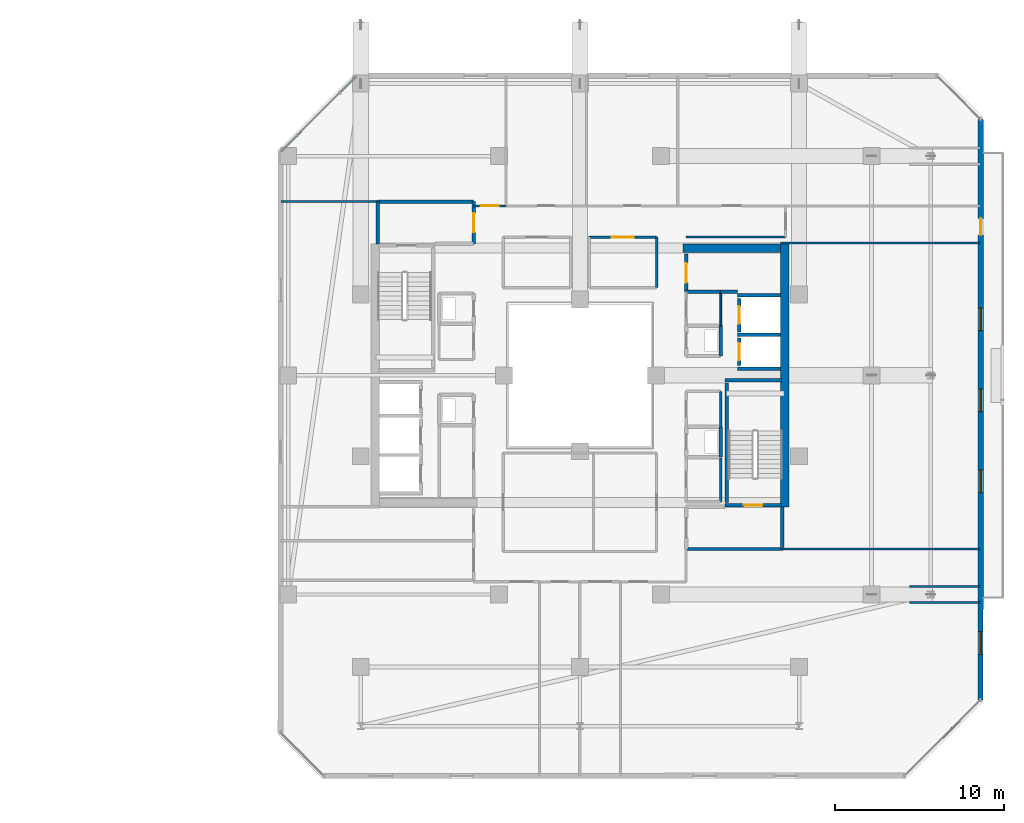
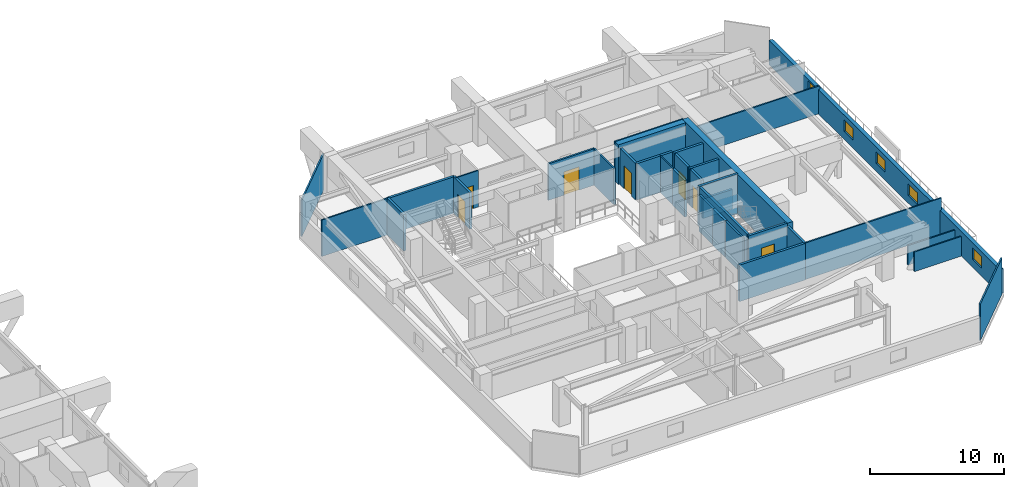
# One storey, part 26 of 34: 35 walls, 8 doors, 4 windows, 12 openings.
"""IFC4 building model written with IfcOpenShell, lengths in metres."""

from ifc_helpers import new_model, si_unit, direction, frame, frame_2d, origin, place, context, subcontext, project, spatial, rectangle, extrude, material, layer, layer_set, type_object, element, fill, save


model = new_model("IFC4")

# Units and contexts
model_context = context("Model", 3, precision=1e-05, world=origin(), true_north=direction((0.0, 1.0)))
body_context = subcontext(model_context, "Body", "Model", "MODEL_VIEW")
ifc_project = project(units=[si_unit("LENGTHUNIT", "METRE"), si_unit("AREAUNIT", "SQUARE_METRE"), si_unit("VOLUMEUNIT", "CUBIC_METRE"), si_unit("PLANEANGLEUNIT", "RADIAN"), si_unit("MASSUNIT", "GRAM", prefix="KILO")], contexts=[model_context])

# Site, building, storey
site_placement = place(None, origin())
site = spatial("IfcSite", under=ifc_project, at=site_placement, CompositionType="ELEMENT")
building_placement = place(site_placement, origin())
building = spatial("IfcBuilding", under=site, at=building_placement, Name="Thornwick Lancets Civic Towers", CompositionType="ELEMENT")
storey_placement = place(building_placement, frame((0.0, 0.0, 251.10009765625)))
storey = spatial("IfcBuildingStorey", under=building, at=storey_placement, Name="L67", CompositionType="ELEMENT", Elevation=251.10009765625)

# Wall, opening, door
ifc_material_1 = material(Name="Concrete blockwork C40/50", Category="masonry")
ifc_layer_1 = layer(ifc_material_1, 0.199951171875, Name="Concrete blockwork C40/50")
ifc_layer_set_1 = layer_set([ifc_layer_1], Name="Concrete blockwork C40/50")
wall_type_1 = type_object("IfcWallType", Name="WALL_COMP_200", PredefinedType="STANDARD", material=ifc_layer_set_1)
wall_1_placement = place(storey_placement, frame((97.949951171875, 29.219970703125, 0.0), z_axis=(0.0, 0.0, 1.0), x_axis=(0.0, -1.0, 0.0)))
wall_1 = element("IfcWall", 1, at=wall_1_placement, inside=storey, type_object=wall_type_1, Name="L67 Hoistway Front Wall FL-B1", PredefinedType="STANDARD", context=body_context, shape_type="SweptSolid", body=[
    extrude(rectangle(XDim=1.639892578125, YDim=0.199951171875, at=frame_2d((0.81982421875, 0.0))), origin(), (0.0, 0.0, 1.0), 3.31982421875),
])
opening_1_placement = place(wall_1_placement, frame((0.31005859375, 0.0, 0.0)))
opening_1 = element("IfcOpeningElement", 2, at=opening_1_placement, cuts=wall_1, Name="Opening LD-FL-B1", PredefinedType="OPENING", context=body_context, shape_type="SweptSolid", body=[
    extrude(rectangle(XDim=1.02001953125, YDim=2.06005859375, at=frame_2d((0.510009765625, 1.030029296875))), frame((0.0, 0.10986328125, 0.0), z_axis=(0.0, -1.0, 0.0), x_axis=(1.0, 0.0, 0.0)), (0.0, 0.0, 1.0), 0.219970703125),
])
ifc_material_2 = material(Name="Brushed bronze stainless steel", Category="steel")
door_type_1 = type_object("IfcDoorType", Name="DOOR_LIFT_SLIDE", OperationType="SLIDING_TO_LEFT", PredefinedType="DOOR", material=ifc_material_2)
door_1_placement = place(opening_1_placement, origin())
door_1 = element("IfcDoor", 3, at=door_1_placement, inside=storey, type_object=door_type_1, Name="L67 Sliding Lift Landing Door LD-FL-B1", OperationType="SLIDING_TO_LEFT", OverallHeight=2.06005859375, OverallWidth=1.02001953125, PredefinedType="DOOR", context=body_context, shape_type="SweptSolid", body=[
    extrude(rectangle(XDim=1.02001953125, YDim=2.06005859375, at=frame_2d((0.510009765625, 1.030029296875))), frame((0.0, 0.02490234375, 0.0), z_axis=(0.0, -1.0, 0.0), x_axis=(1.0, 0.0, 0.0)), (0.0, 0.0, 1.0), 0.050048828125),
])
fill(opening_1, door_1)

wall_2_placement = place(storey_placement, frame((97.949951171875, 31.570068359375, 0.0), z_axis=(0.0, 0.0, 1.0), x_axis=(0.0, -1.0, 0.0)))
wall_2 = element("IfcWall", 4, at=wall_2_placement, inside=storey, type_object=wall_type_1, Name="L67 Hoistway Front Wall PL-BH1", PredefinedType="STANDARD", context=body_context, shape_type="SweptSolid", body=[
    extrude(rectangle(XDim=1.989990234375, YDim=0.199951171875, at=frame_2d((0.9951171875, 0.0))), origin(), (0.0, 0.0, 1.0), 3.31982421875),
])
opening_2_placement = place(wall_2_placement, frame((0.485107421875, 0.0, 0.0)))
opening_2 = element("IfcOpeningElement", 5, at=opening_2_placement, cuts=wall_2, Name="Opening LD-PL-BH1", PredefinedType="OPENING", context=body_context, shape_type="SweptSolid", body=[
    extrude(rectangle(XDim=1.02001953125, YDim=2.06005859375, at=frame_2d((0.510009765625, 1.030029296875))), frame((0.0, 0.10986328125, 0.0), z_axis=(0.0, -1.0, 0.0), x_axis=(1.0, 0.0, 0.0)), (0.0, 0.0, 1.0), 0.219970703125),
])
door_2_placement = place(opening_2_placement, origin())
door_2 = element("IfcDoor", 6, at=door_2_placement, inside=storey, type_object=door_type_1, Name="L67 Sliding Lift Landing Door LD-PL-BH1", OperationType="SLIDING_TO_LEFT", OverallHeight=2.06005859375, OverallWidth=1.02001953125, PredefinedType="DOOR", context=body_context, shape_type="SweptSolid", body=[
    extrude(rectangle(XDim=1.02001953125, YDim=2.06005859375, at=frame_2d((0.510009765625, 1.030029296875))), frame((0.0, 0.02490234375, 0.0), z_axis=(0.0, -1.0, 0.0), x_axis=(1.0, 0.0, 0.0)), (0.0, 0.0, 1.0), 0.050048828125),
])
fill(opening_2, door_2)

# Walls
wall_3_placement = place(storey_placement, frame((97.85205078125, 29.39990234375, 0.0), z_axis=(0.0, 0.0, 1.0), x_axis=(1.0, 0.0, 0.0)))
element("IfcWall", 7, at=wall_3_placement, inside=storey, type_object=wall_type_1, Name="L67 Hoistway Shaft Wall FL-B1 N", PredefinedType="STANDARD", context=body_context, shape_type="SweptSolid", body=[
    extrude(rectangle(XDim=2.535888671875, YDim=0.199951171875, at=frame_2d((1.26806640625, 0.0))), origin(), (0.0, 0.0, 1.0), 3.31982421875),
])
wall_4_placement = place(storey_placement, frame((97.85205078125, 27.39990234375, 0.0), z_axis=(0.0, 0.0, 1.0), x_axis=(1.0, 0.0, 0.0)))
element("IfcWall", 8, at=wall_4_placement, inside=storey, type_object=wall_type_1, Name="L67 Hoistway Shaft Wall FL-B1 S", PredefinedType="STANDARD", context=body_context, shape_type="SweptSolid", body=[
    extrude(rectangle(XDim=2.535888671875, YDim=0.199951171875, at=frame_2d((1.26806640625, 0.0))), origin(), (0.0, 0.0, 1.0), 1.784912109375),
])
wall_5_placement = place(storey_placement, frame((97.85205078125, 31.75, 0.0), z_axis=(0.0, 0.0, 1.0), x_axis=(1.0, 0.0, 0.0)))
element("IfcWall", 9, at=wall_5_placement, inside=storey, type_object=wall_type_1, Name="L67 Hoistway Shaft Wall PL-BH1 N", PredefinedType="STANDARD", context=body_context, shape_type="SweptSolid", body=[
    extrude(rectangle(XDim=2.535888671875, YDim=0.199951171875, at=frame_2d((1.26806640625, 0.0))), origin(), (0.0, 0.0, 1.0), 3.31982421875),
])
wall_6_placement = place(storey_placement, frame((94.800048828125, 16.699951171875, 0.0), z_axis=(0.0, 0.0, 1.0), x_axis=(1.0, 0.0, 0.0)))
element("IfcWall", 10, at=wall_6_placement, inside=storey, type_object=wall_type_1, Name="L67 Partition L67-B-FFLOB1 E1", PredefinedType="STANDARD", context=body_context, shape_type="SweptSolid", body=[
    extrude(rectangle(XDim=5.699951171875, YDim=0.199951171875, at=frame_2d((2.85009765625, 0.0))), origin(), (0.0, 0.0, 1.0), 3.31982421875),
])
wall_7_placement = place(storey_placement, frame((100.5, 16.699951171875, 0.0), z_axis=(0.0, 0.0, 1.0), x_axis=(0.0, 1.0, 0.0)))
element("IfcWall", 11, at=wall_7_placement, inside=storey, type_object=wall_type_1, Name="L67 Partition L67-B-FFLOB1 E2", PredefinedType="STANDARD", context=body_context, shape_type="SweptSolid", body=[
    extrude(rectangle(XDim=2.5, YDim=0.199951171875, at=frame_2d((1.25, 0.0))), origin(), (0.0, 0.0, 1.0), 3.31982421875),
])

# Wall, opening, door
wall_8_placement = place(storey_placement, frame((82.199951171875, 34.800048828125, 0.0), z_axis=(0.0, 0.0, 1.0), x_axis=(0.0, 1.0, 0.0)))
wall_8 = element("IfcWall", 12, at=wall_8_placement, inside=storey, type_object=wall_type_1, Name="L67 Partition L67-B-FFLOB2 E2", PredefinedType="STANDARD", context=body_context, shape_type="SweptSolid", body=[
    extrude(rectangle(XDim=2.5, YDim=0.199951171875, at=frame_2d((1.25, 0.0))), origin(), (0.0, 0.0, 1.0), 3.31982421875),
])
opening_3_placement = place(wall_8_placement, frame((0.675048828125, 0.0, 0.0)))
opening_3 = element("IfcOpeningElement", 13, at=opening_3_placement, cuts=wall_8, Name="Opening D-L67-3046", PredefinedType="OPENING", context=body_context, shape_type="SweptSolid", body=[
    extrude(rectangle(XDim=1.14990234375, YDim=2.10009765625, at=frame_2d((0.574951171875, 1.050048828125))), frame((0.0, 0.10986328125, 0.0), z_axis=(0.0, -1.0, 0.0), x_axis=(1.0, 0.0, 0.0)), (0.0, 0.0, 1.0), 0.219970703125),
])
ifc_material_3 = material(Name="Glazed fire-resisting steel", Category="steel")
door_type_2 = type_object("IfcDoorType", Name="DOOR_LOBBY_FD60", OperationType="NOTDEFINED", PredefinedType="DOOR", material=ifc_material_3)
door_3_placement = place(opening_3_placement, origin())
door_3 = element("IfcDoor", 14, at=door_3_placement, inside=storey, type_object=door_type_2, Name="L67 West Firefighting Lobby 2 Door", OperationType="SINGLE_SWING_LEFT", OverallHeight=2.10009765625, OverallWidth=1.14990234375, PredefinedType="DOOR", context=body_context, shape_type="SweptSolid", body=[
    extrude(rectangle(XDim=1.14990234375, YDim=2.10009765625, at=frame_2d((0.574951171875, 1.050048828125))), frame((0.0, 0.02490234375, 0.0), z_axis=(0.0, -1.0, 0.0), x_axis=(1.0, 0.0, 0.0)), (0.0, 0.0, 1.0), 0.050048828125),
])
fill(opening_3, door_3)

# Walls
wall_9_placement = place(storey_placement, frame((82.199951171875, 37.300048828125, 0.0), z_axis=(0.0, 0.0, 1.0), x_axis=(-1.0, 0.0, 0.0)))
element("IfcWall", 15, at=wall_9_placement, inside=storey, type_object=wall_type_1, Name="L67 Partition L67-B-FFLOB2 E3", PredefinedType="STANDARD", context=body_context, shape_type="SweptSolid", body=[
    extrude(rectangle(XDim=5.699951171875, YDim=0.199951171875, at=frame_2d((2.85009765625, 0.0))), origin(), (0.0, 0.0, 1.0), 3.31982421875),
])
wall_10_placement = place(storey_placement, frame((76.5, 37.300048828125, 0.0), z_axis=(0.0, 0.0, 1.0), x_axis=(0.0, -1.0, 0.0)))
element("IfcWall", 16, at=wall_10_placement, inside=storey, type_object=wall_type_1, Name="L67 Partition L67-B-FFLOB2 E4", PredefinedType="STANDARD", context=body_context, shape_type="SweptSolid", body=[
    extrude(rectangle(XDim=2.5, YDim=0.199951171875, at=frame_2d((1.25, 0.0))), origin(), (0.0, 0.0, 1.0), 3.31982421875),
])
for number, where, z_axis, x_axis, name in (
    (17, (96.85009765625, 28.14990234375, 0.0), (0.0, 0.0, 1.0), (0.0, 1.0, 0.0), "L67 Partition L67-B-DUCT1 E2"),
    (18, (96.85009765625, 22.14990234375, 0.0), (0.0, 0.0, 1.0), (0.0, 1.0, 0.0), "L67 Partition L67-B-RISER1 E2"),
):
    element("IfcWall", number, at=place(storey_placement, frame(where, z_axis=z_axis, x_axis=x_axis)), inside=storey, type_object=wall_type_1, Name=name, PredefinedType="STANDARD", context=body_context, shape_type="SweptSolid", body=[
        extrude(rectangle(XDim=1.800048828125, YDim=0.199951171875, at=frame_2d((0.89990234375, 0.0))), origin(), (0.0, 0.0, 1.0), 3.31982421875),
    ])

# Wall, opening, door
wall_11_placement = place(storey_placement, frame((94.800048828125, 31.949951171875, 0.0), z_axis=(0.0, 0.0, 1.0), x_axis=(0.0, 1.0, 0.0)))
wall_11 = element("IfcWall", 19, at=wall_11_placement, inside=storey, type_object=wall_type_1, Name="L67 Partition L67-B-ITR2 E1", PredefinedType="STANDARD", context=body_context, shape_type="SweptSolid", body=[
    extrude(rectangle(XDim=2.25, YDim=0.199951171875, at=frame_2d((1.125, 0.0))), origin(), (0.0, 0.0, 1.0), 3.31982421875),
])
opening_4_placement = place(wall_11_placement, frame((0.550048828125, 0.0, 0.0)))
opening_4 = element("IfcOpeningElement", 20, at=opening_4_placement, cuts=wall_11, Name="Opening D-L67-3054", PredefinedType="OPENING", context=body_context, shape_type="SweptSolid", body=[
    extrude(rectangle(XDim=1.14990234375, YDim=2.10009765625, at=frame_2d((0.574951171875, 1.050048828125))), frame((0.0, 0.10986328125, 0.0), z_axis=(0.0, -1.0, 0.0), x_axis=(1.0, 0.0, 0.0)), (0.0, 0.0, 1.0), 0.219970703125),
])
door_4_placement = place(opening_4_placement, origin())
door_4 = element("IfcDoor", 21, at=door_4_placement, inside=storey, type_object=door_type_2, Name="L67 Tower B Statutory Core Archive Door", OperationType="SINGLE_SWING_LEFT", OverallHeight=2.10009765625, OverallWidth=1.14990234375, PredefinedType="DOOR", context=body_context, shape_type="SweptSolid", body=[
    extrude(rectangle(XDim=1.14990234375, YDim=2.10009765625, at=frame_2d((0.574951171875, 1.050048828125))), frame((0.0, 0.02490234375, 0.0), z_axis=(0.0, -1.0, 0.0), x_axis=(1.0, 0.0, 0.0)), (0.0, 0.0, 1.0), 0.050048828125),
])
fill(opening_4, door_4)

# Walls
wall_12_placement = place(storey_placement, frame((97.85205078125, 31.949951171875, 0.0), z_axis=(0.0, 0.0, 1.0), x_axis=(-1.0, 0.0, 0.0)))
element("IfcWall", 22, at=wall_12_placement, inside=storey, type_object=wall_type_1, Name="L67 Partition L67-B-ITR2 E4", PredefinedType="STANDARD", context=body_context, shape_type="SweptSolid", body=[
    extrude(rectangle(XDim=1.001953125, YDim=0.199951171875, at=frame_2d((0.5009765625, 0.0))), origin(), (0.0, 0.0, 1.0), 3.31982421875),
])
wall_13_placement = place(storey_placement, frame((96.85009765625, 31.949951171875, 0.0), z_axis=(0.0, 0.0, 1.0), x_axis=(-1.0, 0.0, 0.0)))
element("IfcWall", 23, at=wall_13_placement, inside=storey, type_object=wall_type_1, Name="L67 Partition L67-B-ITR2 E5", PredefinedType="STANDARD", context=body_context, shape_type="SweptSolid", body=[
    extrude(rectangle(XDim=2.050048828125, YDim=0.199951171875, at=frame_2d((1.02490234375, 0.0))), origin(), (0.0, 0.0, 1.0), 3.31982421875),
])
ifc_material_4 = material(Name="Concrete C50/60", Category="concrete")
ifc_layer_2 = layer(ifc_material_4, 0.5, Name="Concrete C50/60")
ifc_layer_set_2 = layer_set([ifc_layer_2], Name="Concrete C50/60")
wall_type_2 = type_object("IfcWallType", Name="WALL_CORE_500", PredefinedType="SHEAR", material=ifc_layer_set_2)
wall_14_placement = place(storey_placement, frame((100.64990234375, 19.199951171875, 0.0), z_axis=(0.0, 0.0, 1.0), x_axis=(0.0, 1.0, 0.0)))
element("IfcWall", 24, at=wall_14_placement, inside=storey, type_object=wall_type_2, Name="L67 Split Core B1 Shear Wall E", PredefinedType="SHEAR", context=body_context, shape_type="SweptSolid", body=[
    extrude(rectangle(XDim=15.60009765625, YDim=0.5, at=frame_2d((7.800048828125, 0.0))), origin(), (0.0, 0.0, 1.0), 3.599853515625),
])
wall_15_placement = place(storey_placement, frame((94.60009765625, 34.550048828125, 0.0), z_axis=(0.0, 0.0, 1.0), x_axis=(1.0, 0.0, 0.0)))
element("IfcWall", 25, at=wall_15_placement, inside=storey, type_object=wall_type_2, Name="L67 Split Core B1 Shear Wall N", PredefinedType="SHEAR", context=body_context, shape_type="SweptSolid", body=[
    extrude(rectangle(XDim=5.7998046875, YDim=0.5, at=frame_2d((2.89990234375, 0.0))), origin(), (0.0, 0.0, 1.0), 3.599853515625),
])

# Wall, openings, door, windows
ifc_material_5 = material(Name="Insulated buff terracotta rainscreen on concrete C40/50", Category="masonry")
ifc_layer_3 = layer(ifc_material_5, 0.320068359375, Name="Insulated buff terracotta rainscreen on concrete C40/50")
ifc_layer_set_3 = layer_set([ifc_layer_3], Name="Insulated buff terracotta rainscreen on concrete C40/50")
wall_type_3 = type_object("IfcWallType", Name="WALL_EXT_TERRA_320", PredefinedType="STANDARD", material=ifc_layer_set_3)
wall_16_placement = place(storey_placement, frame((112.25830078125, 7.7490234375, 0.0), z_axis=(0.0, 0.0, 1.0), x_axis=(0.000184351399, 0.999999983007, 0.0)))
wall_16 = element("IfcWall", 26, at=wall_16_placement, inside=storey, type_object=wall_type_3, Name="L67 Tower B Terracotta Facade Wall E2", PredefinedType="STANDARD", context=body_context, shape_type="SweptSolid", body=[
    extrude(rectangle(XDim=34.432373046875, YDim=0.320068359375, at=frame_2d((17.21630859375, 0.0))), origin(), (0.0, 0.0, 1.0), 2.219970703125),
])
opening_5_placement = place(wall_16_placement, frame((27.566162109375, 0.0, 0.0)))
opening_5 = element("IfcOpeningElement", 27, at=opening_5_placement, cuts=wall_16, Name="Opening D-BL-L67-BE", PredefinedType="OPENING", context=body_context, shape_type="SweptSolid", body=[
    extrude(rectangle(XDim=1.0, YDim=2.080078125, at=frame_2d((0.5, 1.0400390625))), frame((0.0, 0.169921875, 0.0), z_axis=(0.0, -1.0, 0.0), x_axis=(1.0, 0.0, 0.0)), (0.0, 0.0, 1.0), 0.340087890625),
])
opening_6_placement = place(wall_16_placement, frame((2.699951171875, 0.0, 0.719970703125)))
opening_6 = element("IfcOpeningElement", 28, at=opening_6_placement, cuts=wall_16, Name="Opening WL-03", PredefinedType="OPENING", context=body_context, shape_type="SweptSolid", body=[
    extrude(rectangle(XDim=1.35009765625, YDim=1.050048828125, at=frame_2d((0.675048828125, 0.52490234375))), frame((0.0, 0.169921875, 0.0), z_axis=(0.0, -1.0, 0.0), x_axis=(1.0, 0.0, 0.0)), (0.0, 0.0, 1.0), 0.340087890625),
])
opening_7_placement = place(wall_16_placement, frame((12.300048828125, 0.0, 0.719970703125)))
opening_7 = element("IfcOpeningElement", 29, at=opening_7_placement, cuts=wall_16, Name="Opening WL-03", PredefinedType="OPENING", context=body_context, shape_type="SweptSolid", body=[
    extrude(rectangle(XDim=1.35009765625, YDim=1.050048828125, at=frame_2d((0.675048828125, 0.52490234375))), frame((0.0, 0.169921875, 0.0), z_axis=(0.0, -1.0, 0.0), x_axis=(1.0, 0.0, 0.0)), (0.0, 0.0, 1.0), 0.340087890625),
])
opening_8_placement = place(wall_16_placement, frame((17.10009765625, 0.0, 0.719970703125)))
opening_8 = element("IfcOpeningElement", 30, at=opening_8_placement, cuts=wall_16, Name="Opening WL-03", PredefinedType="OPENING", context=body_context, shape_type="SweptSolid", body=[
    extrude(rectangle(XDim=1.35009765625, YDim=1.050048828125, at=frame_2d((0.675048828125, 0.52490234375))), frame((0.0, 0.169921875, 0.0), z_axis=(0.0, -1.0, 0.0), x_axis=(1.0, 0.0, 0.0)), (0.0, 0.0, 1.0), 0.340087890625),
])
opening_9_placement = place(wall_16_placement, frame((21.89990234375, 0.0, 0.719970703125)))
opening_9 = element("IfcOpeningElement", 31, at=opening_9_placement, cuts=wall_16, Name="Opening WL-03", PredefinedType="OPENING", context=body_context, shape_type="SweptSolid", body=[
    extrude(rectangle(XDim=1.35009765625, YDim=1.050048828125, at=frame_2d((0.675048828125, 0.52490234375))), frame((0.0, 0.169921875, 0.0), z_axis=(0.0, -1.0, 0.0), x_axis=(1.0, 0.0, 0.0)), (0.0, 0.0, 1.0), 0.340087890625),
])
ifc_material_6 = material(Name="Thermally broken glazed loggia doorset")
door_type_3 = type_object("IfcDoorType", Name="DOOR_BALC_1000", OperationType="NOTDEFINED", PredefinedType="DOOR", material=ifc_material_6)
door_5_placement = place(opening_5_placement, origin())
door_5 = element("IfcDoor", 32, at=door_5_placement, inside=storey, type_object=door_type_3, Name="L67 Tower B Loggia Balcony Door E", OperationType="SINGLE_SWING_RIGHT", OverallHeight=2.080078125, OverallWidth=1.0, PredefinedType="DOOR", context=body_context, shape_type="SweptSolid", body=[
    extrude(rectangle(XDim=1.0, YDim=2.080078125, at=frame_2d((0.5, 1.0400390625))), frame((0.0, 0.02490234375, 0.0), z_axis=(0.0, -1.0, 0.0), x_axis=(1.0, 0.0, 0.0)), (0.0, 0.0, 1.0), 0.050048828125),
])
fill(opening_5, door_5)
ifc_material_7 = material(Name="Clear low-e double glazing clerestory lancet", Category="glass")
window_type = type_object("IfcWindowType", Name="WIN_LANCET_1350", PartitioningType="SINGLE_PANEL", PredefinedType="WINDOW", material=ifc_material_7)
window_1_placement = place(opening_6_placement, origin())
window_1 = element("IfcWindow", 33, at=window_1_placement, inside=storey, type_object=window_type, Name="L67 Tower B Staggered Lancet Window E2-1", OverallHeight=1.050048828125, OverallWidth=1.35009765625, PartitioningType="SINGLE_PANEL", PredefinedType="WINDOW", context=body_context, shape_type="SweptSolid", body=[
    extrude(rectangle(XDim=1.35009765625, YDim=1.050048828125, at=frame_2d((0.675048828125, 0.52490234375))), frame((0.0, 0.030029296875, 0.0), z_axis=(0.0, -1.0, 0.0), x_axis=(1.0, 0.0, 0.0)), (0.0, 0.0, 1.0), 0.06005859375),
])
fill(opening_6, window_1)
window_2_placement = place(opening_7_placement, origin())
window_2 = element("IfcWindow", 34, at=window_2_placement, inside=storey, type_object=window_type, Name="L67 Tower B Staggered Lancet Window E2-2", OverallHeight=1.050048828125, OverallWidth=1.35009765625, PartitioningType="SINGLE_PANEL", PredefinedType="WINDOW", context=body_context, shape_type="SweptSolid", body=[
    extrude(rectangle(XDim=1.35009765625, YDim=1.050048828125, at=frame_2d((0.675048828125, 0.52490234375))), frame((0.0, 0.030029296875, 0.0), z_axis=(0.0, -1.0, 0.0), x_axis=(1.0, 0.0, 0.0)), (0.0, 0.0, 1.0), 0.06005859375),
])
fill(opening_7, window_2)
window_3_placement = place(opening_8_placement, origin())
window_3 = element("IfcWindow", 35, at=window_3_placement, inside=storey, type_object=window_type, Name="L67 Tower B Staggered Lancet Window E2-3", OverallHeight=1.050048828125, OverallWidth=1.35009765625, PartitioningType="SINGLE_PANEL", PredefinedType="WINDOW", context=body_context, shape_type="SweptSolid", body=[
    extrude(rectangle(XDim=1.35009765625, YDim=1.050048828125, at=frame_2d((0.675048828125, 0.52490234375))), frame((0.0, 0.030029296875, 0.0), z_axis=(0.0, -1.0, 0.0), x_axis=(1.0, 0.0, 0.0)), (0.0, 0.0, 1.0), 0.06005859375),
])
fill(opening_8, window_3)
window_4_placement = place(opening_9_placement, origin())
window_4 = element("IfcWindow", 36, at=window_4_placement, inside=storey, type_object=window_type, Name="L67 Tower B Staggered Lancet Window E2-4", OverallHeight=1.050048828125, OverallWidth=1.35009765625, PartitioningType="SINGLE_PANEL", PredefinedType="WINDOW", context=body_context, shape_type="SweptSolid", body=[
    extrude(rectangle(XDim=1.35009765625, YDim=1.050048828125, at=frame_2d((0.675048828125, 0.52490234375))), frame((0.0, 0.030029296875, 0.0), z_axis=(0.0, -1.0, 0.0), x_axis=(1.0, 0.0, 0.0)), (0.0, 0.0, 1.0), 0.06005859375),
])
fill(opening_9, window_4)

# Walls
ifc_material_8 = material(Name="Lightweight cellular office partition")
ifc_layer_4 = layer(ifc_material_8, 0.10009765625, Name="Lightweight cellular office partition")
ifc_layer_set_4 = layer_set([ifc_layer_4], Name="Lightweight cellular office partition")
wall_type_4 = type_object("IfcWallType", Name="WALL_PART_100", PredefinedType="PARTITIONING", material=ifc_layer_set_4)
wall_17_placement = place(storey_placement, frame((96.85009765625, 31.949951171875, 0.0), z_axis=(0.0, 0.0, 1.0), x_axis=(0.0, -1.0, 0.0)))
element("IfcWall", 37, at=wall_17_placement, inside=storey, type_object=wall_type_4, Name="L67 Partition L67-B-CLN E3", PredefinedType="PARTITIONING", context=body_context, shape_type="SweptSolid", body=[
    extrude(rectangle(XDim=2.0, YDim=0.10009765625, at=frame_2d((1.0, 0.0))), origin(), (0.0, 0.0, 1.0), 3.31982421875),
])
ifc_material_9 = material(Name="Acoustic gypsum board partition")
ifc_layer_5 = layer(ifc_material_9, 0.1201171875, Name="Acoustic gypsum board partition")
ifc_layer_set_5 = layer_set([ifc_layer_5], Name="Acoustic gypsum board partition")
wall_type_5 = type_object("IfcWallType", Name="WALL_PART_120", PredefinedType="PARTITIONING", material=ifc_layer_set_5)
wall_18_placement = place(storey_placement, frame((94.800048828125, 35.199951171875, 0.0), z_axis=(0.0, 0.0, 1.0), x_axis=(1.0, 0.0, 0.0)))
element("IfcWall", 38, at=wall_18_placement, inside=storey, type_object=wall_type_5, Name="L67 Partition L67-B-RECLAIM-L E2", PredefinedType="PARTITIONING", context=body_context, shape_type="SweptSolid", body=[
    extrude(rectangle(XDim=5.89990234375, YDim=0.1201171875, at=frame_2d((2.949951171875, 0.0))), origin(), (0.0, 0.0, 1.0), 3.31982421875),
])
wall_19_placement = place(storey_placement, frame((112.219970703125, 34.85009765625, 0.0), z_axis=(0.0, 0.0, 1.0), x_axis=(-1.0, 0.0, 0.0)))
element("IfcWall", 39, at=wall_19_placement, inside=storey, type_object=wall_type_5, Name="L67 Partition L67-B-RECLAIM-L E6", PredefinedType="PARTITIONING", context=body_context, shape_type="SweptSolid", body=[
    extrude(rectangle(XDim=11.820068359375, YDim=0.1201171875, at=frame_2d((5.91015625, 0.0))), origin(), (0.0, 0.0, 1.0), 2.52490234375),
])
wall_20_placement = place(storey_placement, frame((100.5, 16.699951171875, 0.0), z_axis=(0.0, 0.0, 1.0), x_axis=(1.0, 0.0, 0.0)))
element("IfcWall", 40, at=wall_20_placement, inside=storey, type_object=wall_type_5, Name="L67 Partition L67-B-W1 E7", PredefinedType="PARTITIONING", context=body_context, shape_type="SweptSolid", body=[
    extrude(rectangle(XDim=11.719970703125, YDim=0.1201171875, at=frame_2d((5.85986328125, 0.0))), origin(), (0.0, 0.0, 1.0), 3.31982421875),
])
for number, where, z_axis, x_axis, name in (
    (41, (112.219970703125, 14.47998046875, 0.0), (0.0, 0.0, 1.0), (-1.0, 0.0, 0.0), "L67 Partition L67-B-W1 E9"),
    (42, (108.0419921875, 13.52001953125, 0.0), (0.0, 0.0, 1.0), (1.0, 0.0, 0.0), "L67 Partition L67-B-W1 E11"),
):
    element("IfcWall", number, at=place(storey_placement, frame(where, z_axis=z_axis, x_axis=x_axis)), inside=storey, type_object=wall_type_5, Name=name, PredefinedType="PARTITIONING", context=body_context, shape_type="SweptSolid", body=[
        extrude(rectangle(XDim=4.177978515625, YDim=0.1201171875, at=frame_2d((2.0888671875, 0.0))), origin(), (0.0, 0.0, 1.0), 1.784912109375),
    ])
wall_21_placement = place(storey_placement, frame((112.219970703125, 7.712646484375, 0.0), z_axis=(0.0, 0.0, 1.0), x_axis=(-0.707106781187, -0.707106781187, 0.0)))
element("IfcWall", 43, at=wall_21_placement, inside=storey, type_object=wall_type_5, Name="L67 Partition L67-B-W1 E13", PredefinedType="PARTITIONING", context=body_context, shape_type="SweptSolid", body=[
    extrude(rectangle(XDim=6.2685546875, YDim=0.1201171875, at=frame_2d((3.13427734375, 0.0))), origin(), (0.0, 0.0, 1.0), 3.31982421875),
])
wall_22_placement = place(storey_placement, frame((76.5, 37.300048828125, 0.0), z_axis=(0.0, 0.0, 1.0), x_axis=(-1.0, 0.0, 0.0)))
element("IfcWall", 44, at=wall_22_placement, inside=storey, type_object=wall_type_5, Name="L67 Partition L67-B-E4 E3", PredefinedType="PARTITIONING", context=body_context, shape_type="SweptSolid", body=[
    extrude(rectangle(XDim=5.719970703125, YDim=0.1201171875, at=frame_2d((2.85986328125, 0.0))), origin(), (0.0, 0.0, 1.0), 3.31982421875),
])
wall_23_placement = place(storey_placement, frame((70.780029296875, 40.287353515625, 0.0), z_axis=(0.0, 0.0, 1.0), x_axis=(0.707106781187, 0.707106781187, 0.0)))
element("IfcWall", 45, at=wall_23_placement, inside=storey, type_object=wall_type_5, Name="L67 Partition L67-B-E4 E5", PredefinedType="PARTITIONING", context=body_context, shape_type="SweptSolid", body=[
    extrude(rectangle(XDim=6.2685546875, YDim=0.1201171875, at=frame_2d((3.13427734375, 0.0))), origin(), (0.0, 0.0, 1.0), 3.31982421875),
])

# Wall, opening, door
wall_24_placement = place(storey_placement, frame((84.10009765625, 37.050048828125, 0.0), z_axis=(0.0, 0.0, 1.0), x_axis=(-1.0, 0.0, 0.0)))
wall_24 = element("IfcWall", 46, at=wall_24_placement, inside=storey, type_object=wall_type_5, Name="L67 Partition L67-B-E4 E8", PredefinedType="PARTITIONING", context=body_context, shape_type="SweptSolid", body=[
    extrude(rectangle(XDim=1.900146484375, YDim=0.1201171875, at=frame_2d((0.9501953125, 0.0))), origin(), (0.0, 0.0, 1.0), 3.31982421875),
])
opening_10_placement = place(wall_24_placement, frame((0.425048828125, 0.0, 0.0)))
opening_10 = element("IfcOpeningElement", 47, at=opening_10_placement, cuts=wall_24, Name="Opening D-L67-3084", PredefinedType="OPENING", context=body_context, shape_type="SweptSolid", body=[
    extrude(rectangle(XDim=1.050048828125, YDim=2.10009765625, at=frame_2d((0.52490234375, 1.050048828125))), frame((0.0, 0.070068359375, 0.0), z_axis=(0.0, -1.0, 0.0), x_axis=(1.0, 0.0, 0.0)), (0.0, 0.0, 1.0), 0.14013671875),
])
ifc_material_10 = material(Name="Glazed European oak executive doorset")
door_type_4 = type_object("IfcDoorType", Name="DOOR_OFFICE_1050", OperationType="NOTDEFINED", PredefinedType="DOOR", material=ifc_material_10)
door_6_placement = place(opening_10_placement, origin())
door_6 = element("IfcDoor", 48, at=door_6_placement, inside=storey, type_object=door_type_4, Name="L67 Tower B Legislative Drafting Suite E4 Door", OperationType="SINGLE_SWING_LEFT", OverallHeight=2.10009765625, OverallWidth=1.050048828125, PredefinedType="DOOR", context=body_context, shape_type="SweptSolid", body=[
    extrude(rectangle(XDim=1.050048828125, YDim=2.10009765625, at=frame_2d((0.52490234375, 1.050048828125))), frame((0.0, 0.02490234375, 0.0), z_axis=(0.0, -1.0, 0.0), x_axis=(1.0, 0.0, 0.0)), (0.0, 0.0, 1.0), 0.050048828125),
])
fill(opening_10, door_6)

# Walls
ifc_material_11 = material(Name="Twin-stud acoustic gypsum board")
ifc_layer_6 = layer(ifc_material_11, 0.14990234375, Name="Twin-stud acoustic gypsum board")
ifc_layer_set_6 = layer_set([ifc_layer_6], Name="Twin-stud acoustic gypsum board")
wall_type_6 = type_object("IfcWallType", Name="WALL_PART_150", PredefinedType="PARTITIONING", material=ifc_layer_set_6)
wall_25_placement = place(storey_placement, frame((96.85009765625, 19.5, 0.0), z_axis=(0.0, 0.0, 1.0), x_axis=(0.0, 1.0, 0.0)))
element("IfcWall", 49, at=wall_25_placement, inside=storey, type_object=wall_type_6, Name="L67 Partition L67-B-MWC E2", PredefinedType="PARTITIONING", context=body_context, shape_type="SweptSolid", body=[
    extrude(rectangle(XDim=2.60009765625, YDim=0.14990234375, at=frame_2d((1.300048828125, 0.0))), origin(), (0.0, 0.0, 1.0), 3.31982421875),
])
wall_26_placement = place(storey_placement, frame((96.85009765625, 26.050048828125, 0.0), z_axis=(0.0, 0.0, 1.0), x_axis=(0.0, -1.0, 0.0)))
element("IfcWall", 50, at=wall_26_placement, inside=storey, type_object=wall_type_6, Name="L67 Partition L67-B-AWC E3", PredefinedType="PARTITIONING", context=body_context, shape_type="SweptSolid", body=[
    extrude(rectangle(XDim=2.10009765625, YDim=0.14990234375, at=frame_2d((1.050048828125, 0.0))), origin(), (0.0, 0.0, 1.0), 3.31982421875),
])

# Wall, opening, door
wall_27_placement = place(storey_placement, frame((89.050048828125, 35.199951171875, 0.0), z_axis=(0.0, 0.0, 1.0), x_axis=(1.0, 0.0, 0.0)))
wall_27 = element("IfcWall", 51, at=wall_27_placement, inside=storey, type_object=wall_type_6, Name="L67 Partition L67-B-E-ATR-1 E2", PredefinedType="PARTITIONING", context=body_context, shape_type="SweptSolid", body=[
    extrude(rectangle(XDim=4.0, YDim=0.14990234375, at=frame_2d((2.0, 0.0))), origin(), (0.0, 0.0, 1.0), 3.31982421875),
])
opening_11_placement = place(wall_27_placement, frame((1.35009765625, 0.0, 0.0)))
opening_11 = element("IfcOpeningElement", 52, at=opening_11_placement, cuts=wall_27, Name="Opening D-L67-3085", PredefinedType="OPENING", context=body_context, shape_type="SweptSolid", body=[
    extrude(rectangle(XDim=1.300048828125, YDim=2.1201171875, at=frame_2d((0.64990234375, 1.06005859375))), frame((0.0, 0.0849609375, 0.0), z_axis=(0.0, -1.0, 0.0), x_axis=(1.0, 0.0, 0.0)), (0.0, 0.0, 1.0), 0.169921875),
])
ifc_material_12 = material(Name="Acoustic oak leaf-and-a-half doorset")
door_type_5 = type_object("IfcDoorType", Name="DOOR_MEET_1300", OperationType="DOUBLE_DOOR_SINGLE_SWING", PredefinedType="DOOR", material=ifc_material_12)
door_7_placement = place(opening_11_placement, origin())
door_7 = element("IfcDoor", 53, at=door_7_placement, inside=storey, type_object=door_type_5, Name="L67 Tower B Atrium Briefing Room Door", OperationType="DOUBLE_DOOR_SINGLE_SWING", OverallHeight=2.1201171875, OverallWidth=1.300048828125, PredefinedType="DOOR", context=body_context, shape_type="SweptSolid", body=[
    extrude(rectangle(XDim=1.300048828125, YDim=2.1201171875, at=frame_2d((0.64990234375, 1.06005859375))), frame((0.0, 0.02490234375, 0.0), z_axis=(0.0, -1.0, 0.0), x_axis=(1.0, 0.0, 0.0)), (0.0, 0.0, 1.0), 0.050048828125),
])
fill(opening_11, door_7)

# Wall
wall_28_placement = place(storey_placement, frame((93.050048828125, 35.199951171875, 0.0), z_axis=(0.0, 0.0, 1.0), x_axis=(0.0, -1.0, 0.0)))
element("IfcWall", 54, at=wall_28_placement, inside=storey, type_object=wall_type_6, Name="L67 Partition L67-B-E-ATR-1 E3", PredefinedType="PARTITIONING", context=body_context, shape_type="SweptSolid", body=[
    extrude(rectangle(XDim=3.0, YDim=0.14990234375, at=frame_2d((1.5, 0.0))), origin(), (0.0, 0.0, 1.0), 3.31982421875),
])

# Wall, opening, door
ifc_material_13 = material(Name="Concrete C40/50", Category="concrete")
ifc_layer_7 = layer(ifc_material_13, 0.199951171875, Name="Concrete C40/50")
ifc_layer_set_7 = layer_set([ifc_layer_7], Name="Concrete C40/50")
wall_type_7 = type_object("IfcWallType", Name="WALL_SHAFT_200", PredefinedType="SHEAR", material=ifc_layer_set_7)
wall_29_placement = place(storey_placement, frame((100.449951171875, 19.300048828125, 0.0), z_axis=(0.0, 0.0, 1.0), x_axis=(-1.0, 0.0, 0.0)))
wall_29 = element("IfcWall", 55, at=wall_29_placement, inside=storey, type_object=wall_type_7, Name="L67 ST-B1 Fire Stair Core Wall NEAR", PredefinedType="SHEAR", context=body_context, shape_type="SweptSolid", body=[
    extrude(rectangle(XDim=3.349853515625, YDim=0.199951171875, at=frame_2d((1.6748046875, 0.0))), origin(), (0.0, 0.0, 1.0), 3.599853515625),
])
opening_12_placement = place(wall_29_placement, frame((1.125, 0.0, 0.0)))
opening_12 = element("IfcOpeningElement", 56, at=opening_12_placement, cuts=wall_29, Name="Opening D-ST-B1-L67", PredefinedType="OPENING", context=body_context, shape_type="SweptSolid", body=[
    extrude(rectangle(XDim=1.10009765625, YDim=2.10009765625, at=frame_2d((0.550048828125, 1.050048828125))), frame((0.0, 0.10986328125, 0.0), z_axis=(0.0, -1.0, 0.0), x_axis=(1.0, 0.0, 0.0)), (0.0, 0.0, 1.0), 0.219970703125),
])
ifc_material_14 = material(Name="Fire-resisting steel and hardwood", Category="steel")
door_type_6 = type_object("IfcDoorType", Name="DOOR_STAIR_FD60", OperationType="NOTDEFINED", PredefinedType="DOOR", material=ifc_material_14)
door_8_placement = place(opening_12_placement, origin())
door_8 = element("IfcDoor", 57, at=door_8_placement, inside=storey, type_object=door_type_6, Name="L67 ST-B1 Exit Stair Door", OperationType="SINGLE_SWING_RIGHT", OverallHeight=2.10009765625, OverallWidth=1.10009765625, PredefinedType="DOOR", context=body_context, shape_type="SweptSolid", body=[
    extrude(rectangle(XDim=1.10009765625, YDim=2.10009765625, at=frame_2d((0.550048828125, 1.050048828125))), frame((0.0, 0.02490234375, 0.0), z_axis=(0.0, -1.0, 0.0), x_axis=(1.0, 0.0, 0.0)), (0.0, 0.0, 1.0), 0.050048828125),
])
fill(opening_12, door_8)

# Walls
wall_30_placement = place(storey_placement, frame((97.10009765625, 26.699951171875, 0.0), z_axis=(0.0, 0.0, 1.0), x_axis=(1.0, 0.0, 0.0)))
element("IfcWall", 58, at=wall_30_placement, inside=storey, type_object=wall_type_7, Name="L67 ST-B1 Fire Stair Core Wall FAR", PredefinedType="SHEAR", context=body_context, shape_type="SweptSolid", body=[
    extrude(rectangle(XDim=3.349853515625, YDim=0.199951171875, at=frame_2d((1.6748046875, 0.0))), origin(), (0.0, 0.0, 1.0), 3.599853515625),
])
wall_31_placement = place(storey_placement, frame((97.202880859375, 26.550048828125, 0.0), z_axis=(0.0, 0.0, 1.0), x_axis=(0.0, -1.0, 0.0)))
element("IfcWall", 59, at=wall_31_placement, inside=storey, type_object=wall_type_7, Name="L67 ST-B1 Fire Stair Core Wall RIGHT", PredefinedType="SHEAR", context=body_context, shape_type="SweptSolid", body=[
    extrude(rectangle(XDim=7.10009765625, YDim=0.199951171875, at=frame_2d((3.550048828125, 0.0))), origin(), (0.0, 0.0, 1.0), 3.599853515625),
])

save(model, "model.ifc")
